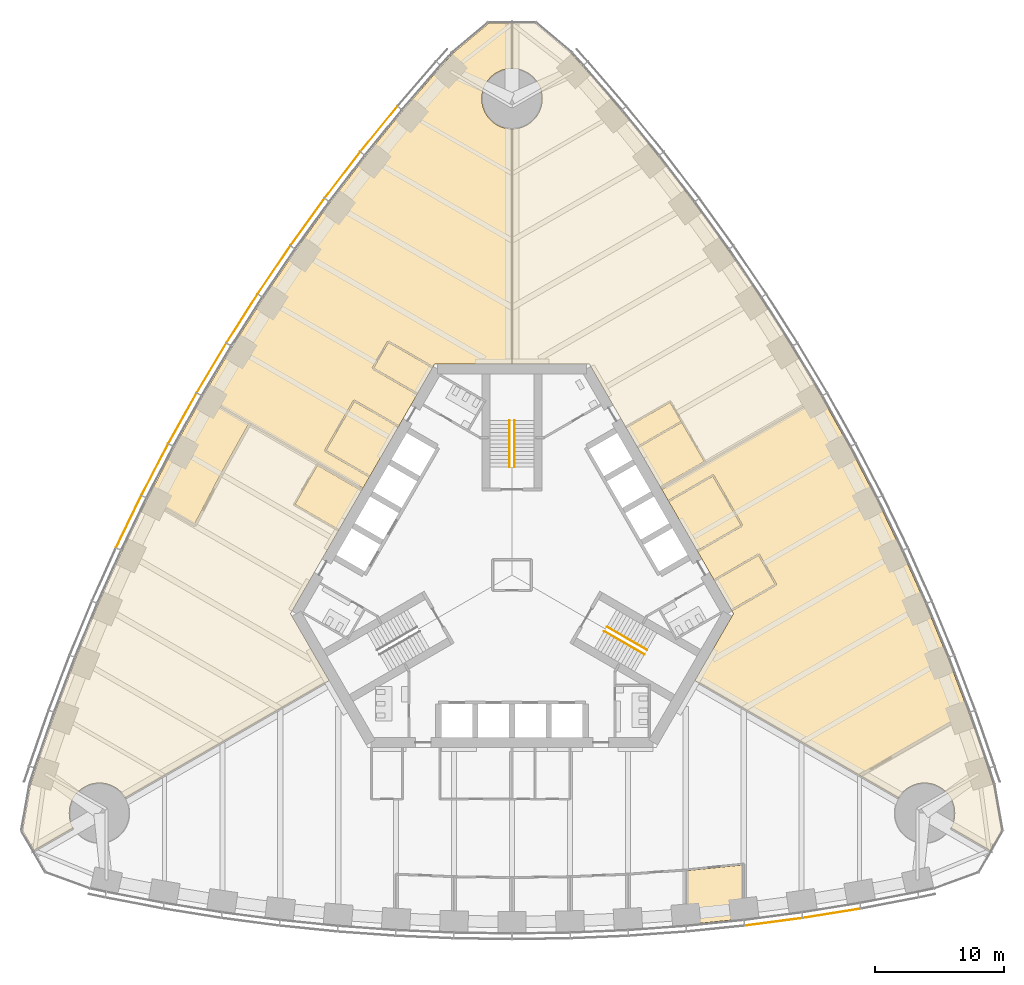
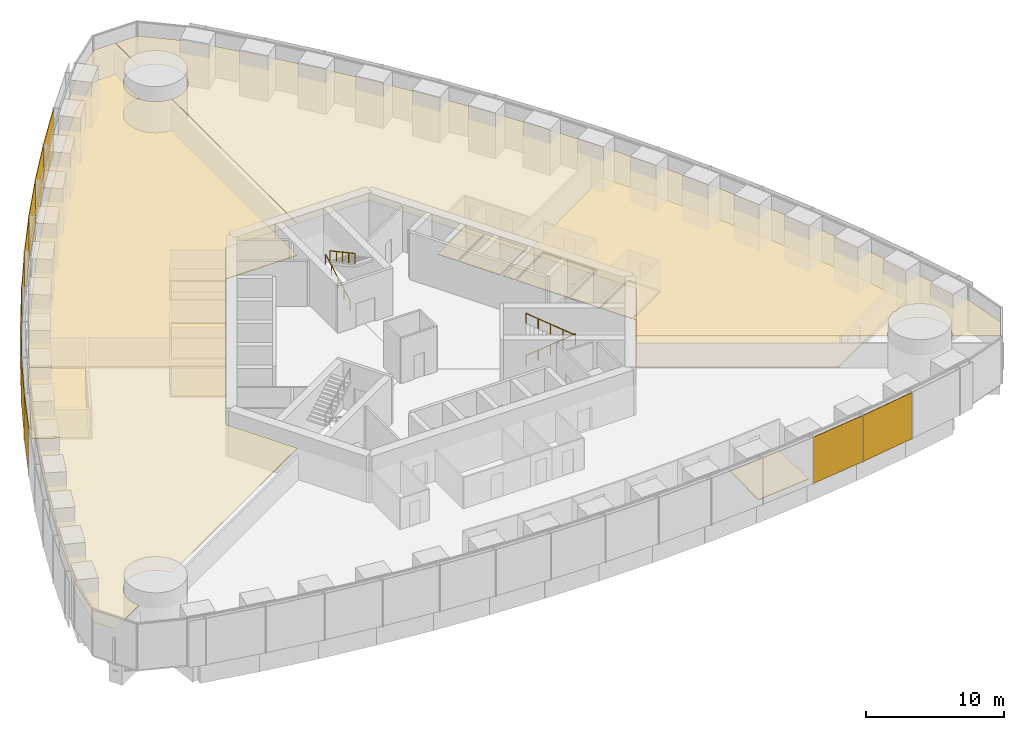
# One storey, part 15 of 18: 13 coverings, 11 shading devices, 4 railings.
"""IFC4 building model written with IfcOpenShell, lengths in metres."""

import ifcopenshell
import ifcopenshell.guid

model = None  # the IFC model being written
_history = None  # IfcOwnerHistory: only IFC2X3 demands one
_inside = {}  # id of a spatial element -> (the spatial element, [elements in it])
_under = {}  # id of a project, library or spatial element -> (it, [spatial elements below it])
_declared = {}  # id of a project -> (the project, [libraries it declares])
_typed = {}  # id of a type object -> (the type object, [elements of that type])
_made_of = {}  # id of a material, layer set ... -> (it, [elements and type objects made of it])


def new_model(schema):
    """Start an empty IFC model of exactly this schema.

    Asked for "IFC4X3", IfcOpenShell would pick the latest addendum, in which some entities
    have other attributes; the version numbers below select the first issue.
    IFC2X3 requires an IfcOwnerHistory on every rooted entity: one is made here for all.
    """
    global model, _history
    if schema == "IFC4X3":
        model = ifcopenshell.file(schema_version=(4, 3, 0, 0))
    else:
        model = ifcopenshell.file(schema=schema)
    _inside.clear()
    _under.clear()
    _declared.clear()
    _typed.clear()
    _made_of.clear()
    _history = None
    if model.schema == "IFC2X3":
        org = make("IfcOrganization", Name="unknown")
        user = make(
            "IfcPersonAndOrganization",
            ThePerson=make("IfcPerson", FamilyName="unknown"),
            TheOrganization=org,
        )
        app = make(
            "IfcApplication",
            ApplicationDeveloper=org,
            Version="unknown",
            ApplicationFullName="unknown",
            ApplicationIdentifier="unknown",
        )
        _history = make(
            "IfcOwnerHistory",
            OwningUser=user,
            OwningApplication=app,
            ChangeAction="ADDED",
            CreationDate=0,
        )
    return model


def make(cls, **values):
    """One entity of the class cls with the attributes given. An attribute that is None is left unset."""
    return model.create_entity(
        cls, **{name: value for name, value in values.items() if value is not None}
    )


def rooted(cls, **values):
    """An entity with a GlobalId (a new one), such as an element, a storey or a relation."""
    return make(cls, GlobalId=ifcopenshell.guid.new(), OwnerHistory=_history, **values)


def si_unit(unit_type, name, prefix=None):
    """IfcSIUnit, for example si_unit("LENGTHUNIT", "METRE", prefix="MILLI")."""
    return make("IfcSIUnit", UnitType=unit_type, Prefix=prefix, Name=name)


def assignment(units):
    """IfcUnitAssignment: the units of a project."""
    return None if units is None else make("IfcUnitAssignment", Units=units)


def point(xyz):
    """IfcCartesianPoint."""
    return None if xyz is None else make("IfcCartesianPoint", Coordinates=xyz)


def direction(xyz):
    """IfcDirection."""
    return None if xyz is None else make("IfcDirection", DirectionRatios=xyz)


def frame(location, z_axis=None, x_axis=None):
    """IfcAxis2Placement3D, a coordinate frame: its origin and axes. An axis left out is left unset."""
    return make(
        "IfcAxis2Placement3D",
        Location=point(location),
        Axis=direction(z_axis),
        RefDirection=direction(x_axis),
    )


def frame_2d(location, x_axis=None):
    """IfcAxis2Placement2D, a coordinate frame in the plane: its origin and x axis."""
    return make(
        "IfcAxis2Placement2D", Location=point(location), RefDirection=direction(x_axis)
    )


def origin():
    """The frame at (0, 0, 0) with its axes left unset."""
    return frame((0.0, 0.0, 0.0))


def origin_2d():
    """The frame at (0, 0) in the plane with its x axis left unset."""
    return frame_2d((0.0, 0.0))


def place(relative_to, where):
    """IfcLocalPlacement: puts the frame where relative to a parent placement (None: the world)."""
    return make(
        "IfcLocalPlacement", PlacementRelTo=relative_to, RelativePlacement=where
    )


def context(
    kind, dimensions, precision=None, world=None, true_north=None, identifier=None
):
    """IfcGeometricRepresentationContext, for example the 3D "Model" context."""
    return make(
        "IfcGeometricRepresentationContext",
        ContextIdentifier=identifier,
        ContextType=kind,
        CoordinateSpaceDimension=dimensions,
        Precision=precision,
        WorldCoordinateSystem=world,
        TrueNorth=true_north,
    )


def subcontext(parent, identifier, kind, view, scale=None):
    """IfcGeometricRepresentationSubContext, for example "Body" below "Model"."""
    return make(
        "IfcGeometricRepresentationSubContext",
        ContextIdentifier=identifier,
        ContextType=kind,
        ParentContext=parent,
        TargetScale=scale,
        TargetView=view,
    )


def project(units=None, contexts=None):
    """IfcProject with its units and contexts."""
    return rooted(
        "IfcProject",
        Name="project",
        RepresentationContexts=contexts,
        UnitsInContext=assignment(units),
    )


def spatial(cls, under=None, at=None, **own):
    """A site, building, storey or space (cls), placed at a placement, below another one or the project."""
    s = rooted(cls, ObjectPlacement=at, **own)
    if under is not None:
        _under.setdefault(under.id(), (under, []))[1].append(s)
    return s


def polyline(points):
    """IfcPolyline through the points."""
    return make("IfcPolyline", Points=[point(p) for p in points])


def profile(cls, at=None, kind="AREA", **sizes):
    """A parametric profile (cls). Its sizes go by their IFC names, for example OverallWidth=200.0."""
    return make(cls, ProfileType=kind, Position=at, **sizes)


def rectangle(**sizes):
    """IfcRectangleProfileDef."""
    return profile("IfcRectangleProfileDef", **sizes)


def circle(**sizes):
    """IfcCircleProfileDef."""
    return profile("IfcCircleProfileDef", **sizes)


def outline(outer, holes=None, kind="AREA"):
    """IfcArbitraryClosedProfileDef: a profile drawn as a closed curve; with holes, ...WithVoids."""
    if holes is None:
        return make("IfcArbitraryClosedProfileDef", ProfileType=kind, OuterCurve=outer)
    return make(
        "IfcArbitraryProfileDefWithVoids",
        ProfileType=kind,
        OuterCurve=outer,
        InnerCurves=holes,
    )


def extrude(swept, where, along, depth):
    """IfcExtrudedAreaSolid: the profile swept, set in the frame where, extruded along a direction by depth."""
    return make(
        "IfcExtrudedAreaSolid",
        SweptArea=swept,
        Position=where,
        ExtrudedDirection=direction(along),
        Depth=depth,
    )


def shape(context_of_items, identifier, shape_type, items):
    """IfcShapeRepresentation: the items that make up one representation, for example the "Body"."""
    return make(
        "IfcShapeRepresentation",
        ContextOfItems=context_of_items,
        RepresentationIdentifier=identifier,
        RepresentationType=shape_type,
        Items=items,
    )


def material(Name=None, Category=None):
    """IfcMaterial."""
    return make("IfcMaterial", Name=Name, Category=Category)


def layer(
    of_material, thickness, ventilated=None, Name=None, Category=None, Priority=None
):
    """IfcMaterialLayer: one layer of a wall or slab, of a material (None: an air gap)."""
    return make(
        "IfcMaterialLayer",
        Material=of_material,
        LayerThickness=thickness,
        IsVentilated=ventilated,
        Name=Name,
        Category=Category,
        Priority=Priority,
    )


def layer_set(layers, Name=None):
    """IfcMaterialLayerSet."""
    return make("IfcMaterialLayerSet", MaterialLayers=layers, LayerSetName=Name)


def made_of(thing, what):
    """Note that an element or type object is made of a material, layer set ...; save() writes the relation."""
    if what is not None:
        _made_of.setdefault(what.id(), (what, []))[1].append(thing)
    return thing


def type_object(cls, material=None, **own):
    """A type object (cls), such as IfcWallType, which elements share."""
    return made_of(rooted(cls, **own), material)


def element(
    cls,
    number,
    at=None,
    inside=None,
    cuts=None,
    type_object=None,
    material=None,
    context=None,
    identifier="Body",
    shape_type=None,
    held_by="IfcProductDefinitionShape",
    body=None,
    shapes=None,
    **own,
):
    """One element of the class cls, such as IfcWall. Its Tag is "e" and its number.

    at: its placement. inside: the storey or other place that contains it. cuts: it is an
    opening in that element (IfcRelVoidsElement). A single representation is given by context,
    identifier, shape_type and body (its items); several are given by shapes. held_by: the class
    of the entity that holds the representations. save() writes the other relations.
    """
    e = rooted(cls, Tag="e%d" % number, ObjectPlacement=at, **own)
    if body is not None:
        shapes = [shape(context, identifier, shape_type, body)]
    if shapes is not None:
        e.Representation = make(held_by, Representations=shapes)
    if inside is not None:
        _inside.setdefault(inside.id(), (inside, []))[1].append(e)
    if cuts is not None:
        rooted(
            "IfcRelVoidsElement", RelatingBuildingElement=cuts, RelatedOpeningElement=e
        )
    if type_object is not None:
        _typed.setdefault(type_object.id(), (type_object, []))[1].append(e)
    return made_of(e, material)


def aggregate(whole, parts):
    """IfcRelAggregates: a whole, such as a stair, and the parts it consists of."""
    return rooted("IfcRelAggregates", RelatingObject=whole, RelatedObjects=parts)


def save(model, path):
    """Write the relations noted so far, then the file.

    IfcRelAggregates (storeys below a building ...), IfcRelContainedInSpatialStructure (elements
    in a storey), IfcRelDefinesByType, IfcRelAssociatesMaterial and IfcRelDeclares: one each for
    every whole, place, type object, material and project.
    """
    for whole, parts in _under.values():
        aggregate(whole, parts)
    for where, things in _inside.values():
        rooted(
            "IfcRelContainedInSpatialStructure",
            RelatedElements=things,
            RelatingStructure=where,
        )
    for kind, things in _typed.values():
        rooted("IfcRelDefinesByType", RelatedObjects=things, RelatingType=kind)
    for what, things in _made_of.values():
        rooted("IfcRelAssociatesMaterial", RelatedObjects=things, RelatingMaterial=what)
    for by, libraries in _declared.values():
        rooted("IfcRelDeclares", RelatingContext=by, RelatedDefinitions=libraries)
    model.write(path)


model = new_model("IFC4")

# Units and contexts
model_context = context("Model", 3, precision=1e-05, world=origin(), true_north=direction((0.0, 1.0)))
body_context = subcontext(model_context, "Body", "Model", "MODEL_VIEW")
ifc_project = project(units=[si_unit("LENGTHUNIT", "METRE"), si_unit("AREAUNIT", "SQUARE_METRE"), si_unit("VOLUMEUNIT", "CUBIC_METRE"), si_unit("PLANEANGLEUNIT", "RADIAN"), si_unit("MASSUNIT", "GRAM", prefix="KILO")], contexts=[model_context])

# Site, building, storey
site_placement = place(None, origin())
site = spatial("IfcSite", under=ifc_project, at=site_placement, CompositionType="ELEMENT")
building_placement = place(site_placement, origin())
building = spatial("IfcBuilding", under=site, at=building_placement, Name="Trefoil Bronze Tower", CompositionType="ELEMENT")
storey_placement = place(building_placement, frame((0.0, 0.0, 71.10009765625)))
storey = spatial("IfcBuildingStorey", under=building, at=storey_placement, Name="L16", CompositionType="ELEMENT", Elevation=71.10009765625)

# Shading devices
ifc_material_1 = material(Name="Perforated bronze sheet", Category="bronze")
ifc_layer_1 = layer(ifc_material_1, 0.0400390625)
ifc_layer_set_1 = layer_set([ifc_layer_1], Name="Bronze solar screen panel")
shading_device_type = type_object("IfcShadingDeviceType", Name="Bronze solar screen panel", PredefinedType="SHUTTER", material=ifc_layer_set_1)
shading_device_1_placement = place(storey_placement, frame((20.320556640625, -26.939697265625, 0.0498046875), z_axis=(0.0, 0.0, 1.0), x_axis=(0.991437251591, 0.130583981243, 0.0)))
element("IfcShadingDevice", 1, at=shading_device_1_placement, inside=storey, type_object=shading_device_type, Name="Solar screen CW-A L16 F1 bay 13", PredefinedType="SHUTTER", context=body_context, shape_type="SweptSolid", body=[
    extrude(rectangle(XDim=4.5087890625, YDim=0.0400390625, at=origin_2d()), origin(), (0.0, 0.0, 1.0), 4.10009765625),
])
for number, where, z_axis, x_axis, name in (
    (2, (24.836181640625, -26.277099609375, 0.0498046875), (0.0, 0.0, 1.0), (0.987181315145, 0.159602791421, 0.0), "Solar screen CW-A L16 F1 bay 14"),
    (3, (-10.338623046875, 34.6474609375, 0.0498046875), (0.0, 0.0, 1.0), (-0.631810729457, -0.775122701346, 0.0), "Solar screen CW-A L16 F3 bay 3"),
):
    element("IfcShadingDevice", number, at=place(storey_placement, frame(where, z_axis=z_axis, x_axis=x_axis)), inside=storey, type_object=shading_device_type, Name=name, PredefinedType="SHUTTER", context=body_context, shape_type="SweptSolid", body=[
        extrude(rectangle(XDim=4.5283203125, YDim=0.0400390625, at=origin_2d()), origin(), (0.0, 0.0, 1.0), 4.10009765625),
    ])
shading_device_2_placement = place(storey_placement, frame((-13.170166015625, 31.06787109375, 0.0498046875), z_axis=(0.0, 0.0, 1.0), x_axis=(-0.608807670879, -0.793317855515, 0.0)))
element("IfcShadingDevice", 4, at=shading_device_2_placement, inside=storey, type_object=shading_device_type, Name="Solar screen CW-A L16 F3 bay 4", PredefinedType="SHUTTER", context=body_context, shape_type="SweptSolid", body=[
    extrude(rectangle(XDim=4.5087890625, YDim=0.0400390625, at=origin_2d()), origin(), (0.0, 0.0, 1.0), 4.10009765625),
])
shading_device_3_placement = place(storey_placement, frame((-15.88525390625, 27.421142578125, 0.0498046875), z_axis=(0.0, 0.0, 1.0), x_axis=(-0.585372522213, -0.810764460394, 0.0)))
element("IfcShadingDevice", 5, at=shading_device_3_placement, inside=storey, type_object=shading_device_type, Name="Solar screen CW-A L16 F3 bay 5", PredefinedType="SHUTTER", context=body_context, shape_type="SweptSolid", body=[
    extrude(rectangle(XDim=4.493408203125, YDim=0.0400390625, at=origin_2d()), origin(), (0.0, 0.0, 1.0), 4.10009765625),
])
shading_device_4_placement = place(storey_placement, frame((-18.48486328125, 23.707763671875, 0.0498046875), z_axis=(0.0, 0.0, 1.0), x_axis=(-0.56150968077, -0.827470167681, 0.0)))
element("IfcShadingDevice", 6, at=shading_device_4_placement, inside=storey, type_object=shading_device_type, Name="Solar screen CW-A L16 F3 bay 6", PredefinedType="SHUTTER", context=body_context, shape_type="SweptSolid", body=[
    extrude(rectangle(XDim=4.48193359375, YDim=0.0400390625, at=origin_2d()), origin(), (0.0, 0.0, 1.0), 4.10009765625),
])
shading_device_5_placement = place(storey_placement, frame((-20.97021484375, 19.928466796875, 0.0498046875), z_axis=(0.0, 0.0, 1.0), x_axis=(-0.537222392469, -0.843440632783, 0.0)))
element("IfcShadingDevice", 7, at=shading_device_5_placement, inside=storey, type_object=shading_device_type, Name="Solar screen CW-A L16 F3 bay 7", PredefinedType="SHUTTER", context=body_context, shape_type="SweptSolid", body=[
    extrude(rectangle(XDim=4.474365234375, YDim=0.0400390625, at=origin_2d()), origin(), (0.0, 0.0, 1.0), 4.10009765625),
])
for number, where, z_axis, x_axis, name in (
    (8, (-23.341552734375, 16.083251953125, 0.0498046875), (0.0, 0.0, 1.0), (-0.51251279404, -0.858679588639, 0.0), "Solar screen CW-A L16 F3 bay 8"),
    (9, (-25.599365234375, 12.172607421875, 0.0498046875), (0.0, 0.0, 1.0), (-0.487381940453, -0.873188893722, 0.0), "Solar screen CW-A L16 F3 bay 9"),
):
    element("IfcShadingDevice", number, at=place(storey_placement, frame(where, z_axis=z_axis, x_axis=x_axis)), inside=storey, type_object=shading_device_type, Name=name, PredefinedType="SHUTTER", context=body_context, shape_type="SweptSolid", body=[
        extrude(rectangle(XDim=4.470458984375, YDim=0.0400390625, at=origin_2d()), origin(), (0.0, 0.0, 1.0), 4.10009765625),
    ])
shading_device_6_placement = place(storey_placement, frame((-27.74365234375, 8.1962890625, 0.0498046875), z_axis=(0.0, 0.0, 1.0), x_axis=(-0.46182981834, -0.886968555752, 0.0)))
element("IfcShadingDevice", 10, at=shading_device_6_placement, inside=storey, type_object=shading_device_type, Name="Solar screen CW-A L16 F3 bay 10", PredefinedType="SHUTTER", context=body_context, shape_type="SweptSolid", body=[
    extrude(rectangle(XDim=4.474365234375, YDim=0.0400390625, at=origin_2d()), origin(), (0.0, 0.0, 1.0), 4.10009765625),
])
shading_device_7_placement = place(storey_placement, frame((-29.77392578125, 4.154541015625, 0.0498046875), z_axis=(0.0, 0.0, 1.0), x_axis=(-0.4358553457, -0.900016731858, 0.0)))
element("IfcShadingDevice", 11, at=shading_device_7_placement, inside=storey, type_object=shading_device_type, Name="Solar screen CW-A L16 F3 bay 11", PredefinedType="SHUTTER", context=body_context, shape_type="SweptSolid", body=[
    extrude(rectangle(XDim=4.48193359375, YDim=0.0400390625, at=origin_2d()), origin(), (0.0, 0.0, 1.0), 4.10009765625),
])

# Railings
ifc_material_2 = material(Name="Steel handrail", Category="steel")
railing_type = type_object("IfcRailingType", Name="Handrail 900", PredefinedType="HANDRAIL", material=ifc_material_2)
railing_1_placement = place(storey_placement, frame((7.365966796875, -4.021728515625, 0.161376953125)))
element("IfcRailing", 12, at=railing_1_placement, inside=storey, type_object=railing_type, Name="Handrail ST1 flight 1 L16", PredefinedType="HANDRAIL", context=body_context, shape_type="SweptSolid", body=[
    extrude(circle(Radius=0.02392578125, at=origin_2d()), frame((0.0, 0.0, 0.8759765625), z_axis=(0.76250339821, -0.440245697338, 0.474101564745), x_axis=(0.500012057535, 0.866018442252, 0.0)), (0.0, 0.0, 1.0), 4.088623046875),
    extrude(circle(Radius=0.02099609375, at=origin_2d()), origin(), (0.0, 0.0, 1.0), 0.851806640625),
    extrude(circle(Radius=0.02099609375, at=origin_2d()), frame((0.779296875, -0.449951171875, 0.484619140625)), (0.0, 0.0, 1.0), 0.851806640625),
    extrude(circle(Radius=0.02099609375, at=origin_2d()), frame((1.558837890625, -0.89990234375, 0.96923828125)), (0.0, 0.0, 1.0), 0.851806640625),
    extrude(circle(Radius=0.02099609375, at=origin_2d()), frame((2.33837890625, -1.35009765625, 1.453857421875)), (0.0, 0.0, 1.0), 0.851806640625),
    extrude(circle(Radius=0.02099609375, at=origin_2d()), frame((3.11767578125, -1.800048828125, 1.9384765625)), (0.0, 0.0, 1.0), 0.851806640625),
])
railing_2_placement = place(storey_placement, frame((10.28369140625, -6.168212890625, 2.261474609375)))
element("IfcRailing", 13, at=railing_2_placement, inside=storey, type_object=railing_type, Name="Handrail ST1 flight 2 L16", PredefinedType="HANDRAIL", context=body_context, shape_type="SweptSolid", body=[
    extrude(circle(Radius=0.02392578125, at=origin_2d()), frame((0.0, 0.0, 0.8759765625), z_axis=(-0.76250339821, 0.440245697338, 0.474101564745), x_axis=(-0.500012057535, -0.866018442252, 0.0)), (0.0, 0.0, 1.0), 4.088623046875),
    extrude(circle(Radius=0.02099609375, at=origin_2d()), origin(), (0.0, 0.0, 1.0), 0.851806640625),
    extrude(circle(Radius=0.02099609375, at=origin_2d()), frame((-0.779296875, 0.449951171875, 0.484619140625)), (0.0, 0.0, 1.0), 0.851806640625),
    extrude(circle(Radius=0.02099609375, at=origin_2d()), frame((-1.558837890625, 0.89990234375, 0.96923828125)), (0.0, 0.0, 1.0), 0.851806640625),
    extrude(circle(Radius=0.02099609375, at=origin_2d()), frame((-2.33837890625, 1.35009765625, 1.453857421875)), (0.0, 0.0, 1.0), 0.851806640625),
    extrude(circle(Radius=0.02099609375, at=origin_2d()), frame((-3.11767578125, 1.800048828125, 1.9384765625)), (0.0, 0.0, 1.0), 0.851806640625),
])
railing_3_placement = place(storey_placement, frame((-0.199951171875, 8.389892578125, 0.161376953125)))
element("IfcRailing", 14, at=railing_3_placement, inside=storey, type_object=railing_type, Name="Handrail ST2 flight 1 L16", PredefinedType="HANDRAIL", context=body_context, shape_type="SweptSolid", body=[
    extrude(circle(Radius=0.02392578125, at=origin_2d()), frame((0.0, 0.0, 0.8759765625), z_axis=(0.0, 0.880474934443, 0.474092701714), x_axis=(-1.0, 0.0, 0.0)), (0.0, 0.0, 1.0), 4.0888671875),
    extrude(circle(Radius=0.02099609375, at=origin_2d()), origin(), (0.0, 0.0, 1.0), 0.851806640625),
    extrude(circle(Radius=0.02099609375, at=origin_2d()), frame((0.0, 0.89990234375, 0.484619140625)), (0.0, 0.0, 1.0), 0.851806640625),
    extrude(circle(Radius=0.02099609375, at=origin_2d()), frame((0.0, 1.800048828125, 0.96923828125)), (0.0, 0.0, 1.0), 0.851806640625),
    extrude(circle(Radius=0.02099609375, at=origin_2d()), frame((0.0, 2.7001953125, 1.453857421875)), (0.0, 0.0, 1.0), 0.851806640625),
    extrude(circle(Radius=0.02099609375, at=origin_2d()), frame((0.0, 3.60009765625, 1.9384765625)), (0.0, 0.0, 1.0), 0.851806640625),
])
railing_4_placement = place(storey_placement, frame((0.199951171875, 11.989990234375, 2.261474609375)))
element("IfcRailing", 15, at=railing_4_placement, inside=storey, type_object=railing_type, Name="Handrail ST2 flight 2 L16", PredefinedType="HANDRAIL", context=body_context, shape_type="SweptSolid", body=[
    extrude(circle(Radius=0.02392578125, at=origin_2d()), frame((0.0, 0.0, 0.8759765625), z_axis=(0.0, -0.880474934443, 0.474092701714), x_axis=(1.0, 0.0, 0.0)), (0.0, 0.0, 1.0), 4.0888671875),
    extrude(circle(Radius=0.02099609375, at=origin_2d()), origin(), (0.0, 0.0, 1.0), 0.851806640625),
    extrude(circle(Radius=0.02099609375, at=origin_2d()), frame((0.0, -0.89990234375, 0.484619140625)), (0.0, 0.0, 1.0), 0.851806640625),
    extrude(circle(Radius=0.02099609375, at=origin_2d()), frame((0.0, -1.800048828125, 0.96923828125)), (0.0, 0.0, 1.0), 0.851806640625),
    extrude(circle(Radius=0.02099609375, at=origin_2d()), frame((0.0, -2.7001953125, 1.453857421875)), (0.0, 0.0, 1.0), 0.851806640625),
    extrude(circle(Radius=0.02099609375, at=origin_2d()), frame((0.0, -3.60009765625, 1.9384765625)), (0.0, 0.0, 1.0), 0.851806640625),
])

# Coverings
ifc_material_3 = material(Name="Acoustic ceiling panels", Category="mineral fibre")
ifc_layer_2 = layer(ifc_material_3, 0.02001953125)
ifc_layer_set_2 = layer_set([ifc_layer_2], Name="Office ceiling 20")
covering_type_1 = type_object("IfcCoveringType", Name="Office ceiling 20", PredefinedType="CEILING", material=ifc_layer_set_2)
covering_1_placement = place(storey_placement, frame((0.0, 0.0, 2.89990234375)))
element("IfcCovering", 16, at=covering_1_placement, inside=storey, type_object=covering_type_1, Name="Ceiling L16 Open-plan office F2", PredefinedType="CEILING", context=body_context, shape_type="SweptSolid", body=[
    extrude(outline(polyline([(5.4814453125, 39.537841796875), (8.47998046875, 36.072998046875), (11.360107421875, 32.53955078125), (14.123291015625, 28.938720703125), (16.771240234375, 25.271484375), (19.3046875, 21.537841796875), (21.724609375, 17.73876953125), (24.031005859375, 13.87451171875), (26.224609375, 9.944580078125), (28.3046875, 5.949462890625), (30.271240234375, 1.888671875), (32.123291015625, -2.23828125), (33.860107421875, -6.431640625), (35.47998046875, -10.6923828125), (36.9814453125, -15.021728515625), (37.381103515625, -16.248779296875), (38.0146484375, -19.841552734375), (37.110595703125, -21.4072265625), (34.084716796875, -19.661865234375), (34.115478515625, -19.60791015625), (34.167236328125, -19.5048828125), (34.214111328125, -19.3994140625), (34.255615234375, -19.291748046875), (34.291748046875, -19.18212890625), (34.322509765625, -19.071044921875), (34.347900390625, -18.95849609375), (34.367431640625, -18.8447265625), (34.381591796875, -18.730224609375), (34.39013671875, -18.615234375), (34.392822265625, -18.5), (34.39013671875, -18.384765625), (34.381591796875, -18.269775390625), (34.367431640625, -18.1552734375), (34.347900390625, -18.04150390625), (34.322509765625, -17.928955078125), (34.291748046875, -17.81787109375), (34.255615234375, -17.708251953125), (34.214111328125, -17.6005859375), (34.167236328125, -17.4951171875), (34.115478515625, -17.39208984375), (34.05859375, -17.2919921875), (33.996826171875, -17.1943359375), (33.930419921875, -17.10009765625), (33.859619140625, -17.00927734375), (33.7841796875, -16.921875), (33.70458984375, -16.83837890625), (33.62109375, -16.7587890625), (33.53369140625, -16.683349609375), (33.44287109375, -16.612548828125), (33.348388671875, -16.5458984375), (33.251220703125, -16.484375), (33.150634765625, -16.427490234375), (33.047607421875, -16.37548828125), (32.942138671875, -16.328857421875), (32.834716796875, -16.287353515625), (32.72509765625, -16.251220703125), (32.614013671875, -16.220458984375), (32.50146484375, -16.1953125), (32.3876953125, -16.17529296875), (32.273193359375, -16.161376953125), (32.158203125, -16.15283203125), (32.04296875, -16.14990234375), (31.927490234375, -16.15283203125), (31.8125, -16.161376953125), (31.697998046875, -16.17529296875), (31.58447265625, -16.1953125), (31.471923828125, -16.220458984375), (31.36083984375, -16.251220703125), (31.251220703125, -16.287353515625), (31.1435546875, -16.328857421875), (31.0380859375, -16.37548828125), (30.935302734375, -16.427490234375), (30.834716796875, -16.484375), (30.7373046875, -16.5458984375), (30.64306640625, -16.612548828125), (30.552001953125, -16.683349609375), (30.46484375, -16.7587890625), (30.381103515625, -16.83837890625), (30.3017578125, -16.921875), (30.226318359375, -17.00927734375), (30.155517578125, -17.10009765625), (30.089111328125, -17.1943359375), (30.02734375, -17.2919921875), (30.0146484375, -17.31396484375), (14.205810546875, -8.194580078125), (17.205078125, -3.0), (6.00439453125, 16.39990234375), (0.006103515625, 16.39990234375), (0.012939453125, 34.650390625), (0.115234375, 34.65283203125), (0.230224609375, 34.661376953125), (0.3447265625, 34.67529296875), (0.45849609375, 34.6953125), (0.571044921875, 34.720458984375), (0.68212890625, 34.751220703125), (0.791748046875, 34.787353515625), (0.8994140625, 34.828857421875), (1.0048828125, 34.87548828125), (1.10791015625, 34.927490234375), (1.2080078125, 34.984375), (1.3056640625, 35.0458984375), (1.39990234375, 35.112548828125), (1.49072265625, 35.183349609375), (1.578125, 35.2587890625), (1.66162109375, 35.33837890625), (1.7412109375, 35.421875), (1.816650390625, 35.50927734375), (1.887451171875, 35.60009765625), (1.9541015625, 35.6943359375), (2.015625, 35.7919921875), (2.072509765625, 35.89208984375), (2.12451171875, 35.9951171875), (2.171142578125, 36.1005859375), (2.212646484375, 36.208251953125), (2.248779296875, 36.31787109375), (2.279541015625, 36.428955078125), (2.3046875, 36.54150390625), (2.32470703125, 36.6552734375), (2.338623046875, 36.769775390625), (2.34716796875, 36.884765625), (2.35009765625, 37.0), (2.34716796875, 37.115234375), (2.338623046875, 37.230224609375), (2.32470703125, 37.3447265625), (2.3046875, 37.45849609375), (2.279541015625, 37.571044921875), (2.248779296875, 37.68212890625), (2.212646484375, 37.791748046875), (2.171142578125, 37.8994140625), (2.12451171875, 38.0048828125), (2.072509765625, 38.10791015625), (2.015625, 38.2080078125), (1.9541015625, 38.3056640625), (1.887451171875, 38.39990234375), (1.816650390625, 38.49072265625), (1.7412109375, 38.578125), (1.66162109375, 38.66162109375), (1.578125, 38.7412109375), (1.49072265625, 38.816650390625), (1.39990234375, 38.887451171875), (1.3056640625, 38.9541015625), (1.2080078125, 39.015625), (1.10791015625, 39.072509765625), (1.0048828125, 39.12451171875), (0.8994140625, 39.171142578125), (0.791748046875, 39.212646484375), (0.68212890625, 39.248779296875), (0.571044921875, 39.279541015625), (0.45849609375, 39.3046875), (0.3447265625, 39.32470703125), (0.230224609375, 39.338623046875), (0.115234375, 39.34716796875), (0.014892578125, 39.349609375), (0.01611328125, 42.84228515625), (1.82421875, 42.84228515625), (4.618896484375, 40.497314453125), (5.4814453125, 39.537841796875)])), origin(), (0.0, 0.0, 1.0), 0.02001953125),
])
covering_2_placement = place(storey_placement, frame((0.0, 0.0, 2.89990234375)))
element("IfcCovering", 17, at=covering_2_placement, inside=storey, type_object=covering_type_1, Name="Ceiling L16 Open-plan office F3", PredefinedType="CEILING", context=body_context, shape_type="SweptSolid", body=[
    extrude(outline(polyline([(-36.9814453125, -15.021728515625), (-35.47998046875, -10.6923828125), (-33.860107421875, -6.431640625), (-32.123291015625, -2.23828125), (-30.271240234375, 1.888671875), (-28.3046875, 5.949462890625), (-26.224609375, 9.944580078125), (-24.031005859375, 13.87451171875), (-21.724609375, 17.73876953125), (-19.3046875, 21.537841796875), (-16.771240234375, 25.271484375), (-14.123291015625, 28.938720703125), (-11.360107421875, 32.53955078125), (-8.47998046875, 36.072998046875), (-5.4814453125, 39.537841796875), (-4.618896484375, 40.497314453125), (-1.82421875, 42.84228515625), (-0.01611328125, 42.84228515625), (-0.014892578125, 39.349609375), (-0.115234375, 39.34716796875), (-0.230224609375, 39.338623046875), (-0.3447265625, 39.32470703125), (-0.45849609375, 39.3046875), (-0.571044921875, 39.279541015625), (-0.68212890625, 39.248779296875), (-0.791748046875, 39.212646484375), (-0.8994140625, 39.171142578125), (-1.0048828125, 39.12451171875), (-1.10791015625, 39.072509765625), (-1.2080078125, 39.015625), (-1.3056640625, 38.9541015625), (-1.39990234375, 38.887451171875), (-1.49072265625, 38.816650390625), (-1.578125, 38.7412109375), (-1.66162109375, 38.66162109375), (-1.7412109375, 38.578125), (-1.816650390625, 38.49072265625), (-1.887451171875, 38.39990234375), (-1.9541015625, 38.3056640625), (-2.015625, 38.2080078125), (-2.072509765625, 38.10791015625), (-2.12451171875, 38.0048828125), (-2.171142578125, 37.8994140625), (-2.212646484375, 37.791748046875), (-2.248779296875, 37.68212890625), (-2.279541015625, 37.571044921875), (-2.3046875, 37.45849609375), (-2.32470703125, 37.3447265625), (-2.338623046875, 37.230224609375), (-2.34716796875, 37.115234375), (-2.35009765625, 37.0), (-2.34716796875, 36.884765625), (-2.338623046875, 36.769775390625), (-2.32470703125, 36.6552734375), (-2.3046875, 36.54150390625), (-2.279541015625, 36.428955078125), (-2.248779296875, 36.31787109375), (-2.212646484375, 36.208251953125), (-2.171142578125, 36.1005859375), (-2.12451171875, 35.9951171875), (-2.072509765625, 35.89208984375), (-2.015625, 35.7919921875), (-1.9541015625, 35.6943359375), (-1.887451171875, 35.60009765625), (-1.816650390625, 35.50927734375), (-1.7412109375, 35.421875), (-1.66162109375, 35.33837890625), (-1.578125, 35.2587890625), (-1.49072265625, 35.183349609375), (-1.39990234375, 35.112548828125), (-1.3056640625, 35.0458984375), (-1.2080078125, 34.984375), (-1.10791015625, 34.927490234375), (-1.0048828125, 34.87548828125), (-0.8994140625, 34.828857421875), (-0.791748046875, 34.787353515625), (-0.68212890625, 34.751220703125), (-0.571044921875, 34.720458984375), (-0.45849609375, 34.6953125), (-0.3447265625, 34.67529296875), (-0.230224609375, 34.661376953125), (-0.115234375, 34.65283203125), (-0.012939453125, 34.650390625), (-0.006103515625, 16.39990234375), (-6.00439453125, 16.39990234375), (-17.205078125, -3.0), (-14.205810546875, -8.194580078125), (-30.0146484375, -17.31396484375), (-30.02734375, -17.2919921875), (-30.089111328125, -17.1943359375), (-30.155517578125, -17.10009765625), (-30.226318359375, -17.00927734375), (-30.3017578125, -16.921875), (-30.381103515625, -16.83837890625), (-30.46484375, -16.7587890625), (-30.552001953125, -16.683349609375), (-30.64306640625, -16.612548828125), (-30.7373046875, -16.5458984375), (-30.834716796875, -16.484375), (-30.935302734375, -16.427490234375), (-31.0380859375, -16.37548828125), (-31.1435546875, -16.328857421875), (-31.251220703125, -16.287353515625), (-31.36083984375, -16.251220703125), (-31.471923828125, -16.220458984375), (-31.58447265625, -16.1953125), (-31.697998046875, -16.17529296875), (-31.8125, -16.161376953125), (-31.927490234375, -16.15283203125), (-32.04296875, -16.14990234375), (-32.158203125, -16.15283203125), (-32.273193359375, -16.161376953125), (-32.3876953125, -16.17529296875), (-32.50146484375, -16.1953125), (-32.614013671875, -16.220458984375), (-32.72509765625, -16.251220703125), (-32.834716796875, -16.287353515625), (-32.942138671875, -16.328857421875), (-33.047607421875, -16.37548828125), (-33.150634765625, -16.427490234375), (-33.251220703125, -16.484375), (-33.348388671875, -16.5458984375), (-33.44287109375, -16.612548828125), (-33.53369140625, -16.683349609375), (-33.62109375, -16.7587890625), (-33.70458984375, -16.83837890625), (-33.7841796875, -16.921875), (-33.859619140625, -17.00927734375), (-33.930419921875, -17.10009765625), (-33.996826171875, -17.1943359375), (-34.05859375, -17.2919921875), (-34.115478515625, -17.39208984375), (-34.167236328125, -17.4951171875), (-34.214111328125, -17.6005859375), (-34.255615234375, -17.708251953125), (-34.291748046875, -17.81787109375), (-34.322509765625, -17.928955078125), (-34.347900390625, -18.04150390625), (-34.367431640625, -18.1552734375), (-34.381591796875, -18.269775390625), (-34.39013671875, -18.384765625), (-34.392822265625, -18.5), (-34.39013671875, -18.615234375), (-34.381591796875, -18.730224609375), (-34.367431640625, -18.8447265625), (-34.347900390625, -18.95849609375), (-34.322509765625, -19.071044921875), (-34.291748046875, -19.18212890625), (-34.255615234375, -19.291748046875), (-34.214111328125, -19.3994140625), (-34.167236328125, -19.5048828125), (-34.115478515625, -19.60791015625), (-34.084716796875, -19.661865234375), (-37.110595703125, -21.4072265625), (-38.0146484375, -19.841552734375), (-37.381103515625, -16.248779296875), (-36.9814453125, -15.021728515625)])), origin(), (0.0, 0.0, 1.0), 0.02001953125),
])
ifc_material_4 = material(Name="Raised access floor panels", Category="steel")
ifc_layer_3 = layer(ifc_material_4, 0.050048828125)
ifc_layer_set_3 = layer_set([ifc_layer_3], Name="Raised access floor 150")
covering_type_2 = type_object("IfcCoveringType", Name="Raised access floor 150", PredefinedType="FLOORING", material=ifc_layer_set_3)
covering_3_placement = place(storey_placement, frame((0.0, 0.0, 0.099853515625)))
element("IfcCovering", 18, at=covering_3_placement, inside=storey, type_object=covering_type_2, Name="Raised floor L16 Office F1", PredefinedType="FLOORING", context=body_context, shape_type="SweptSolid", body=[
    extrude(outline(polyline([(18.0, -26.70068359375), (13.5, -27.159912109375), (13.5, -25.52392578125), (13.56005859375, -25.52392578125), (13.56005859375, -22.964111328125), (17.93994140625, -22.51708984375), (17.93994140625, -25.0595703125), (18.0, -25.0595703125), (18.0, -26.70068359375)])), origin(), (0.0, 0.0, 1.0), 0.050048828125),
])
covering_4_placement = place(storey_placement, frame((0.0, 0.0, 0.099853515625)))
element("IfcCovering", 19, at=covering_4_placement, inside=storey, type_object=covering_type_2, Name="Raised floor L16 Project room F2", PredefinedType="FLOORING", context=body_context, shape_type="SweptSolid", body=[
    extrude(outline(polyline([(12.184814453125, 5.6953125), (15.596923828125, 7.665283203125), (17.786865234375, 3.872314453125), (14.374755859375, 1.902099609375), (12.184814453125, 5.6953125)])), origin(), (0.0, 0.0, 1.0), 0.050048828125),
])
covering_5_placement = place(storey_placement, frame((0.0, 0.0, 0.099853515625)))
element("IfcCovering", 20, at=covering_5_placement, inside=storey, type_object=covering_type_2, Name="Raised floor L16 Meeting room F2", PredefinedType="FLOORING", context=body_context, shape_type="SweptSolid", body=[
    extrude(outline(polyline([(9.772216796875, 9.8740234375), (13.184326171875, 11.843994140625), (14.92431640625, 8.830078125), (11.51220703125, 6.860107421875), (9.772216796875, 9.8740234375)])), origin(), (0.0, 0.0, 1.0), 0.050048828125),
])
covering_6_placement = place(storey_placement, frame((0.0, 0.0, 0.099853515625)))
element("IfcCovering", 21, at=covering_6_placement, inside=storey, type_object=covering_type_2, Name="Raised floor L16 Focus room F2", PredefinedType="FLOORING", context=body_context, shape_type="SweptSolid", body=[
    extrude(outline(polyline([(8.872314453125, 11.432861328125), (12.284423828125, 13.40283203125), (13.12451171875, 11.947998046875), (9.712158203125, 9.977783203125), (8.872314453125, 11.432861328125)])), origin(), (0.0, 0.0, 1.0), 0.050048828125),
])
covering_7_placement = place(storey_placement, frame((0.0, 0.0, 0.099853515625)))
element("IfcCovering", 22, at=covering_7_placement, inside=storey, type_object=covering_type_2, Name="Raised floor L16 Pantry F2", PredefinedType="FLOORING", context=body_context, shape_type="SweptSolid", body=[
    extrude(outline(polyline([(15.734619140625, -0.453369140625), (19.14697265625, 1.5166015625), (20.43701171875, -0.7177734375), (17.024658203125, -2.687744140625), (15.734619140625, -0.453369140625)])), origin(), (0.0, 0.0, 1.0), 0.050048828125),
])
covering_8_placement = place(storey_placement, frame((0.0, 0.0, 0.099853515625)))
element("IfcCovering", 23, at=covering_8_placement, inside=storey, type_object=covering_type_2, Name="Raised floor L16 Open-plan office F2", PredefinedType="FLOORING", context=body_context, shape_type="SweptSolid", body=[
    extrude(outline(polyline([(30.271240234375, 1.888671875), (32.123291015625, -2.23828125), (33.860107421875, -6.431640625), (35.47998046875, -10.6923828125), (34.046630859375, -11.52001953125), (33.99658203125, -11.43359375), (27.0048828125, -15.47021484375), (27.054931640625, -15.556640625), (27.01171875, -15.581787109375), (14.205810546875, -8.194580078125), (17.205078125, -3.0), (17.084716796875, -2.79150390625), (20.548828125, -0.79150390625), (20.518798828125, -0.73974609375), (20.57080078125, -0.709716796875), (19.220703125, 1.628662109375), (19.168701171875, 1.5986328125), (19.138916015625, 1.650634765625), (15.6748046875, -0.349365234375), (14.434814453125, 1.79833984375), (17.898681640625, 3.79833984375), (17.868896484375, 3.850341796875), (17.9208984375, 3.88037109375), (15.6708984375, 7.77734375), (15.618896484375, 7.747314453125), (15.5888671875, 7.79931640625), (12.124755859375, 5.79931640625), (11.605224609375, 6.69921875), (11.614013671875, 6.7041015625), (11.65087890625, 6.639892578125), (22.656982421875, 12.994384765625), (22.6201171875, 13.05859375), (24.031494140625, 13.87353515625), (26.224609375, 9.944580078125), (28.3046875, 5.949462890625), (30.271240234375, 1.888671875)])), origin(), (0.0, 0.0, 1.0), 0.050048828125),
])
covering_9_placement = place(storey_placement, frame((0.0, 0.0, 0.099853515625)))
element("IfcCovering", 24, at=covering_9_placement, inside=storey, type_object=covering_type_2, Name="Raised floor L16 Project room F3", PredefinedType="FLOORING", context=body_context, shape_type="SweptSolid", body=[
    extrude(outline(polyline([(-11.024658203125, 7.70458984375), (-14.43701171875, 9.674560546875), (-12.246826171875, 13.4677734375), (-8.834716796875, 11.497802734375), (-11.024658203125, 7.70458984375)])), origin(), (0.0, 0.0, 1.0), 0.050048828125),
])
covering_10_placement = place(storey_placement, frame((0.0, 0.0, 0.099853515625)))
element("IfcCovering", 25, at=covering_10_placement, inside=storey, type_object=covering_type_2, Name="Raised floor L16 Meeting room F3", PredefinedType="FLOORING", context=body_context, shape_type="SweptSolid", body=[
    extrude(outline(polyline([(-13.437255859375, 3.52587890625), (-16.849365234375, 5.49609375), (-15.109375, 8.509765625), (-11.697265625, 6.539794921875), (-13.437255859375, 3.52587890625)])), origin(), (0.0, 0.0, 1.0), 0.050048828125),
])
covering_11_placement = place(storey_placement, frame((0.0, 0.0, 0.099853515625)))
element("IfcCovering", 26, at=covering_11_placement, inside=storey, type_object=covering_type_2, Name="Raised floor L16 Store F3", PredefinedType="FLOORING", context=body_context, shape_type="SweptSolid", body=[
    extrude(outline(polyline([(-7.32470703125, 14.11328125), (-10.73681640625, 16.083251953125), (-9.596923828125, 18.0576171875), (-6.184814453125, 16.087646484375), (-7.32470703125, 14.11328125)])), origin(), (0.0, 0.0, 1.0), 0.050048828125),
])
covering_12_placement = place(storey_placement, frame((0.0, 0.0, 0.099853515625)))
element("IfcCovering", 27, at=covering_12_placement, inside=storey, type_object=covering_type_2, Name="Raised floor L16 Training room F3", PredefinedType="FLOORING", context=body_context, shape_type="SweptSolid", body=[
    extrude(outline(polyline([(-26.224609375, 9.944580078125), (-24.031005859375, 13.87451171875), (-22.619384765625, 13.059326171875), (-22.656982421875, 12.994384765625), (-20.4736328125, 11.73388671875), (-22.631103515625, 7.868408203125), (-22.5439453125, 7.819580078125), (-22.632568359375, 7.86572265625), (-24.66455078125, 3.96337890625), (-26.8408203125, 5.2197265625), (-26.890869140625, 5.133056640625), (-28.3046875, 5.949462890625), (-26.224609375, 9.944580078125)])), origin(), (0.0, 0.0, 1.0), 0.050048828125),
])
covering_13_placement = place(storey_placement, frame((0.0, 0.0, 0.099853515625)))
element("IfcCovering", 28, at=covering_13_placement, inside=storey, type_object=covering_type_2, Name="Raised floor L16 Open-plan office F3", PredefinedType="FLOORING", context=body_context, shape_type="SweptSolid", body=[
    extrude(outline(polyline([(-8.774658203125, 11.601806640625), (-12.23876953125, 13.601806640625), (-12.268798828125, 13.5498046875), (-12.32080078125, 13.57958984375), (-14.57080078125, 9.6826171875), (-14.518798828125, 9.652587890625), (-14.548828125, 9.6005859375), (-11.084716796875, 7.6005859375), (-11.604248046875, 6.700927734375), (-11.61279296875, 6.705810546875), (-11.575927734375, 6.77001953125), (-22.58203125, 13.124267578125), (-22.618896484375, 13.060302734375), (-24.030517578125, 13.875244140625), (-21.724609375, 17.73876953125), (-19.3046875, 21.537841796875), (-16.771240234375, 25.271484375), (-14.123291015625, 28.938720703125), (-11.360107421875, 32.53955078125), (-8.47998046875, 36.072998046875), (-5.4814453125, 39.537841796875), (-4.618896484375, 40.497314453125), (-1.82421875, 42.84228515625), (-0.01611328125, 42.84228515625), (-0.014892578125, 39.349609375), (-0.115234375, 39.34716796875), (-0.230224609375, 39.338623046875), (-0.3447265625, 39.32470703125), (-0.45849609375, 39.3046875), (-0.571044921875, 39.279541015625), (-0.68212890625, 39.248779296875), (-0.791748046875, 39.212646484375), (-0.8994140625, 39.171142578125), (-1.0048828125, 39.12451171875), (-1.10791015625, 39.072509765625), (-1.2080078125, 39.015625), (-1.3056640625, 38.9541015625), (-1.39990234375, 38.887451171875), (-1.49072265625, 38.816650390625), (-1.578125, 38.7412109375), (-1.66162109375, 38.66162109375), (-1.7412109375, 38.578125), (-1.816650390625, 38.49072265625), (-1.887451171875, 38.39990234375), (-1.9541015625, 38.3056640625), (-2.015625, 38.2080078125), (-2.072509765625, 38.10791015625), (-2.12451171875, 38.0048828125), (-2.171142578125, 37.8994140625), (-2.212646484375, 37.791748046875), (-2.248779296875, 37.68212890625), (-2.279541015625, 37.571044921875), (-2.3046875, 37.45849609375), (-2.32470703125, 37.3447265625), (-2.338623046875, 37.230224609375), (-2.34716796875, 37.115234375), (-2.35009765625, 37.0), (-2.34716796875, 36.884765625), (-2.338623046875, 36.769775390625), (-2.32470703125, 36.6552734375), (-2.3046875, 36.54150390625), (-2.279541015625, 36.428955078125), (-2.248779296875, 36.31787109375), (-2.212646484375, 36.208251953125), (-2.171142578125, 36.1005859375), (-2.12451171875, 35.9951171875), (-2.072509765625, 35.89208984375), (-2.015625, 35.7919921875), (-1.9541015625, 35.6943359375), (-1.887451171875, 35.60009765625), (-1.816650390625, 35.50927734375), (-1.7412109375, 35.421875), (-1.66162109375, 35.33837890625), (-1.578125, 35.2587890625), (-1.49072265625, 35.183349609375), (-1.39990234375, 35.112548828125), (-1.3056640625, 35.0458984375), (-1.2080078125, 34.984375), (-1.10791015625, 34.927490234375), (-1.0048828125, 34.87548828125), (-0.8994140625, 34.828857421875), (-0.791748046875, 34.787353515625), (-0.68212890625, 34.751220703125), (-0.571044921875, 34.720458984375), (-0.45849609375, 34.6953125), (-0.3447265625, 34.67529296875), (-0.230224609375, 34.661376953125), (-0.115234375, 34.65283203125), (-0.012939453125, 34.650390625), (-0.006103515625, 16.39990234375), (-6.00439453125, 16.39990234375), (-6.124755859375, 16.191650390625), (-9.5888671875, 18.191650390625), (-9.618896484375, 18.1396484375), (-9.6708984375, 18.169677734375), (-10.870849609375, 16.09130859375), (-10.81884765625, 16.061279296875), (-10.848876953125, 16.00927734375), (-7.384765625, 14.00927734375), (-8.774658203125, 11.601806640625)])), origin(), (0.0, 0.0, 1.0), 0.050048828125),
])

save(model, "model.ifc")
